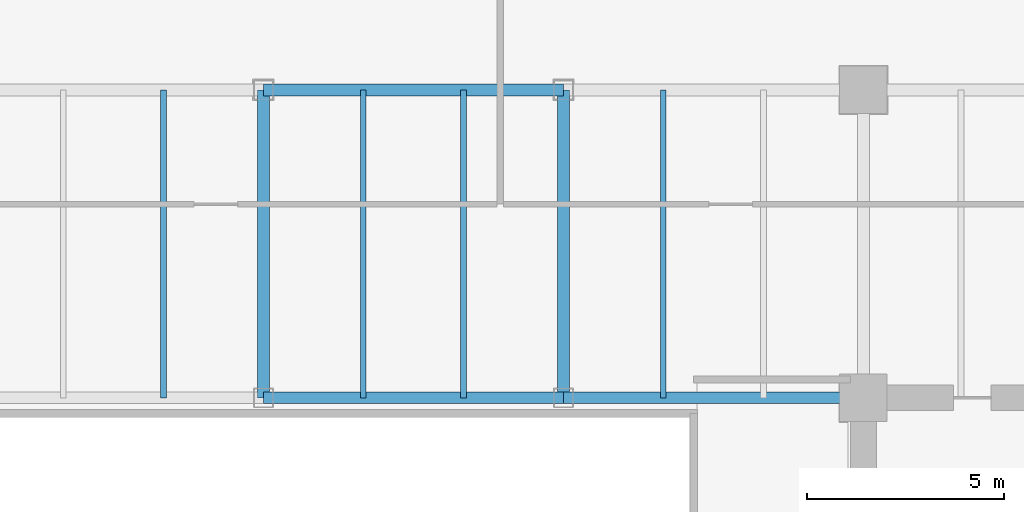
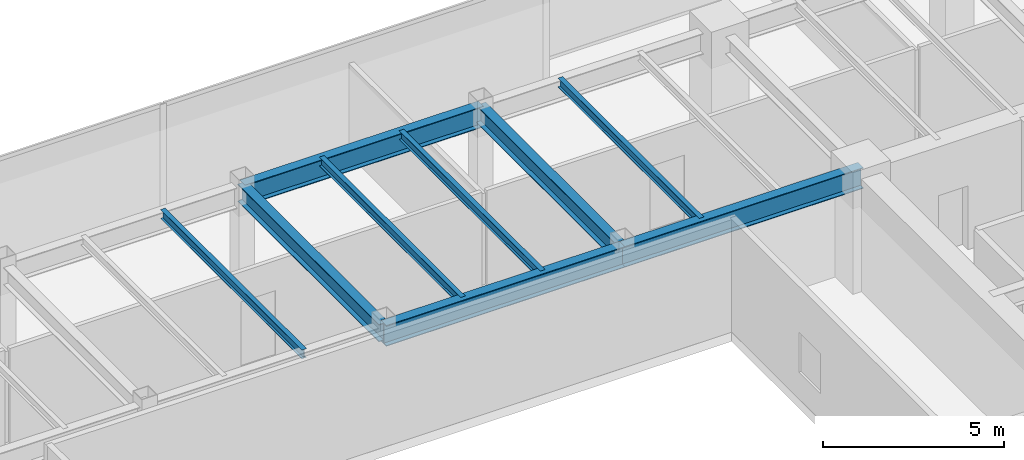
# One storey, part 17 of 34: 9 beams.
"""IFC4 building model written with IfcOpenShell, lengths in metres."""

from ifc_helpers import new_model, si_unit, direction, frame, origin, origin_2d, place, context, subcontext, project, spatial, i_section, extrude, source, transform, mapped, material, material_profile, profile_set, type_object, type_shapes, element, save


model = new_model("IFC4")

# Units and contexts
model_context = context("Model", 3, precision=1e-05, world=origin(), true_north=direction((0.0, 1.0)))
body_context = subcontext(model_context, "Body", "Model", "MODEL_VIEW")
ifc_project = project(units=[si_unit("LENGTHUNIT", "METRE"), si_unit("AREAUNIT", "SQUARE_METRE"), si_unit("VOLUMEUNIT", "CUBIC_METRE"), si_unit("PLANEANGLEUNIT", "RADIAN"), si_unit("MASSUNIT", "GRAM", prefix="KILO")], contexts=[model_context])

# Site, building, storey
site_placement = place(None, origin())
site = spatial("IfcSite", under=ifc_project, at=site_placement, CompositionType="ELEMENT")
building_placement = place(site_placement, origin())
building = spatial("IfcBuilding", under=site, at=building_placement, Name="Haelvirn Gate Laboratories", CompositionType="ELEMENT")
storey_placement = place(building_placement, frame((0.0, 0.0, 178.89990234375)))
storey = spatial("IfcBuildingStorey", under=building, at=storey_placement, Name="L43", CompositionType="ELEMENT", Elevation=178.89990234375)

# Beams
ifc_material = material(Name="Steel SM355", Category="steel")
ifc_material_profile_1 = material_profile(ifc_material, i_section(OverallWidth=0.300048828125, OverallDepth=0.699951171875, WebThickness=0.012939453125, FlangeThickness=0.02392578125, at=origin_2d()), Name="H-700x300x13x24")
ifc_profile_set_1 = profile_set([ifc_material_profile_1], Name="Steel SM355")
beam_type_1 = type_object("IfcBeamType", Name="BM-G-700", PredefinedType="BEAM", material=ifc_profile_set_1)
shared_shape_1 = source(origin(), body_context, "Body", "SweptSolid", [
    extrude(i_section(OverallWidth=0.300048828125, OverallDepth=0.699951171875, WebThickness=0.012939453125, FlangeThickness=0.02392578125, at=origin_2d()), origin(), (0.0, 0.0, 1.0), 7.60009765625),
])
type_shapes(beam_type_1, [shared_shape_1])
for number, where, z_axis, x_axis, name in (
    (1, (37.39990234375, 33.800048828125, 3.440185546875), (1.0, 0.0, 0.0), (0.0, 1.0, 0.0), "L43 Primary Girder Y33.8 (37.4-45.0)"),
    (2, (45.0, 33.800048828125, 3.440185546875), (1.0, 0.0, 0.0), (0.0, 1.0, 0.0), "L43 Primary Girder Y33.8 (45.0-52.6)"),
    (3, (37.39990234375, 41.60009765625, 3.440185546875), (1.0, 0.0, 0.0), (0.0, 1.0, 0.0), "L43 Primary Girder Y41.6 (37.4-45.0)"),
):
    element("IfcBeam", number, at=place(storey_placement, frame(where, z_axis=z_axis, x_axis=x_axis)), inside=storey, type_object=beam_type_1, Name=name, PredefinedType="BEAM", context=body_context, shape_type="MappedRepresentation", body=[
        mapped(shared_shape_1, transform((0.0, 0.0, 0.0), scale=1.0)),
    ])
ifc_material_profile_2 = material_profile(ifc_material, i_section(OverallWidth=0.14990234375, OverallDepth=0.300048828125, WebThickness=0.006591796875, FlangeThickness=0.009033203125, at=origin_2d()), Name="H-300x150x6.5x9")
ifc_profile_set_2 = profile_set([ifc_material_profile_2], Name="Steel SM355")
beam_type_2 = type_object("IfcBeamType", Name="BM-J-300", PredefinedType="JOIST", material=ifc_profile_set_2)
shared_shape_2 = source(origin(), body_context, "Body", "SweptSolid", [
    extrude(i_section(OverallWidth=0.14990234375, OverallDepth=0.300048828125, WebThickness=0.006591796875, FlangeThickness=0.009033203125, at=origin_2d()), origin(), (0.0, 0.0, 1.0), 7.800048828125),
])
type_shapes(beam_type_2, [shared_shape_2])
for number, where, z_axis, x_axis, name in (
    (4, (34.8701171875, 33.800048828125, 3.64013671875), (0.0, 1.0, 0.0), (-1.0, 0.0, 0.0), "L43 Composite Lab Joist North X34.87"),
    (5, (39.929931640625, 33.800048828125, 3.64013671875), (0.0, 1.0, 0.0), (-1.0, 0.0, 0.0), "L43 Composite Lab Joist North X39.93"),
    (6, (42.469970703125, 33.800048828125, 3.64013671875), (0.0, 1.0, 0.0), (-1.0, 0.0, 0.0), "L43 Composite Lab Joist North X42.47"),
    (7, (47.530029296875, 33.800048828125, 3.64013671875), (0.0, 1.0, 0.0), (-1.0, 0.0, 0.0), "L43 Composite Lab Joist North X47.53"),
):
    element("IfcBeam", number, at=place(storey_placement, frame(where, z_axis=z_axis, x_axis=x_axis)), inside=storey, type_object=beam_type_2, Name=name, PredefinedType="JOIST", context=body_context, shape_type="MappedRepresentation", body=[
        mapped(shared_shape_2, transform((0.0, 0.0, 0.0), scale=1.0)),
    ])
ifc_material_profile_3 = material_profile(ifc_material, i_section(OverallWidth=0.300048828125, OverallDepth=0.587890625, WebThickness=0.011962890625, FlangeThickness=0.02001953125, at=origin_2d()), Name="H-588x300x12x20")
ifc_profile_set_3 = profile_set([ifc_material_profile_3], Name="Steel SM355")
beam_type_3 = type_object("IfcBeamType", Name="BM-G-588", PredefinedType="BEAM", material=ifc_profile_set_3)
shared_shape_3 = source(origin(), body_context, "Body", "SweptSolid", [
    extrude(i_section(OverallWidth=0.300048828125, OverallDepth=0.587890625, WebThickness=0.011962890625, FlangeThickness=0.02001953125, at=origin_2d()), origin(), (0.0, 0.0, 1.0), 7.800048828125),
])
type_shapes(beam_type_3, [shared_shape_3])
for number, where, z_axis, x_axis, name in (
    (8, (37.39990234375, 33.800048828125, 3.49609375), (0.0, 1.0, 0.0), (-1.0, 0.0, 0.0), "L43 Frame Girder X37.4 (33.8-41.6)"),
    (9, (45.0, 33.800048828125, 3.49609375), (0.0, 1.0, 0.0), (-1.0, 0.0, 0.0), "L43 Frame Girder X45.0 (33.8-41.6)"),
):
    element("IfcBeam", number, at=place(storey_placement, frame(where, z_axis=z_axis, x_axis=x_axis)), inside=storey, type_object=beam_type_3, Name=name, PredefinedType="BEAM", context=body_context, shape_type="MappedRepresentation", body=[
        mapped(shared_shape_3, transform((0.0, 0.0, 0.0), scale=1.0)),
    ])

save(model, "model.ifc")
